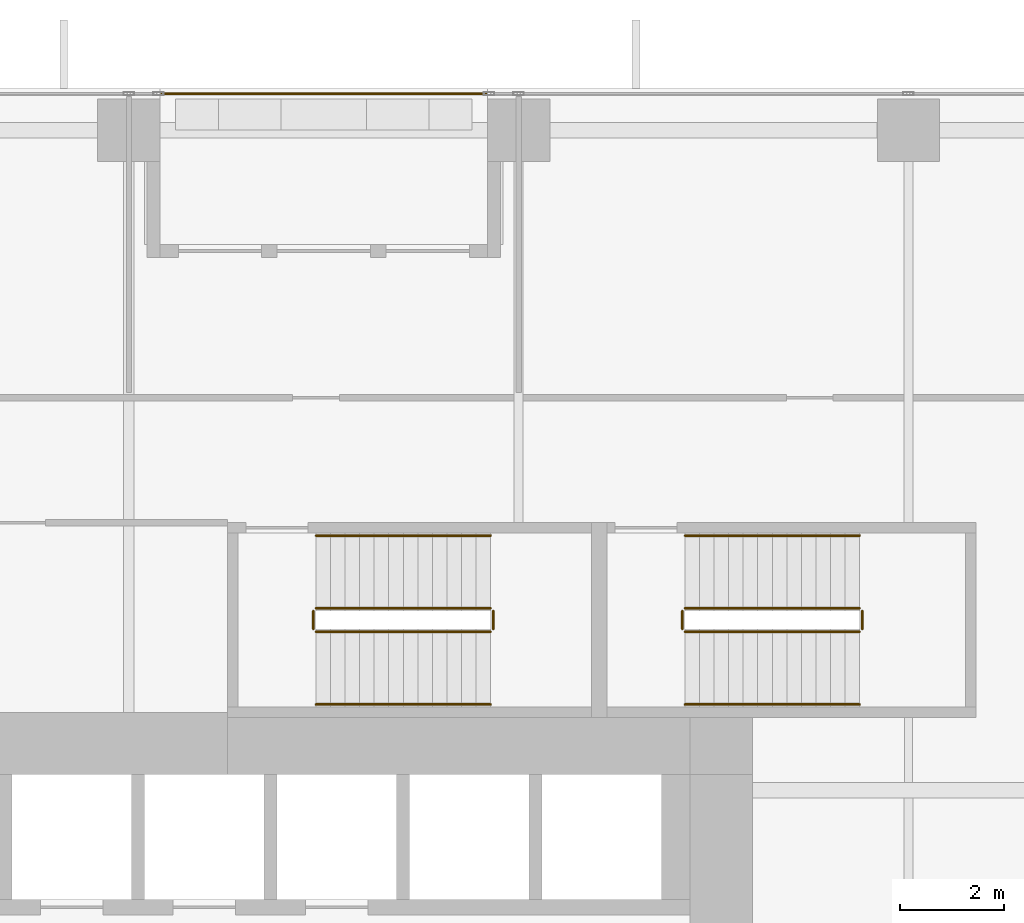
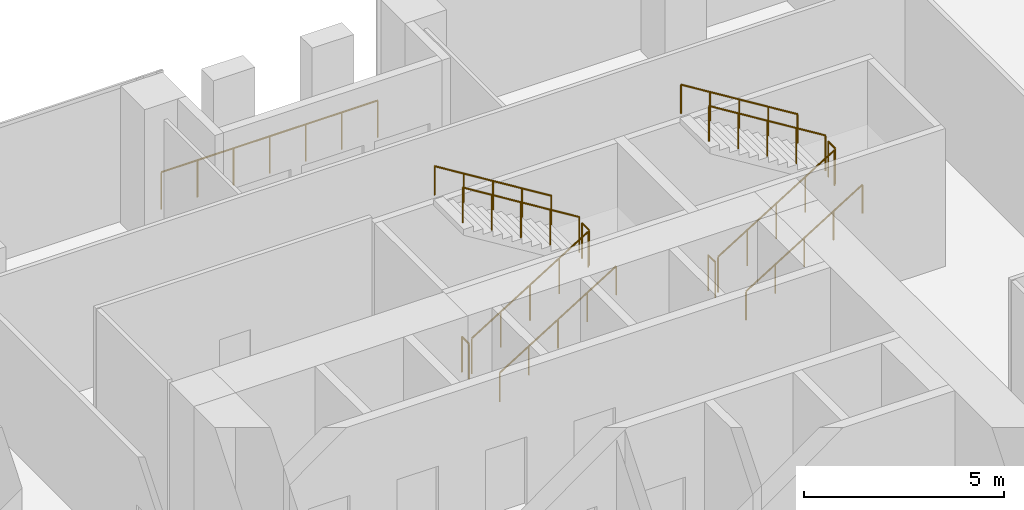
# One storey, part 31 of 32: 13 railings.
"""IFC4 building model written with IfcOpenShell, lengths in metres."""

from ifc_helpers import new_model, si_unit, direction, frame, origin, origin_2d, place, context, subcontext, project, spatial, circle, extrude, source, transform, mapped, material, type_object, element, save


model = new_model("IFC4")

# Units and contexts
model_context = context("Model", 3, precision=1e-05, world=origin(), true_north=direction((0.0, 1.0)))
body_context = subcontext(model_context, "Body", "Model", "MODEL_VIEW")
ifc_project = project(units=[si_unit("LENGTHUNIT", "METRE"), si_unit("AREAUNIT", "SQUARE_METRE"), si_unit("VOLUMEUNIT", "CUBIC_METRE"), si_unit("PLANEANGLEUNIT", "RADIAN"), si_unit("MASSUNIT", "GRAM", prefix="KILO")], contexts=[model_context])

# Site, building, storey
site_placement = place(None, origin())
site = spatial("IfcSite", under=ifc_project, at=site_placement, CompositionType="ELEMENT")
building_placement = place(site_placement, origin())
building = spatial("IfcBuilding", under=site, at=building_placement, Name="Khomas Fold Tower", CompositionType="ELEMENT")
storey_placement = place(building_placement, frame((0.0, 0.0, 42.0)))
storey = spatial("IfcBuildingStorey", under=building, at=storey_placement, Name="L08", CompositionType="ELEMENT", Elevation=42.0)

# Railings
ifc_material_1 = material(Name="Powder-coated steel", Category="steel")
railing_type_1 = type_object("IfcRailingType", Name="Balcony guard", PredefinedType="GUARDRAIL", material=ifc_material_1)
shared_shape_1 = source(origin(), body_context, "Body", "SweptSolid", [
    extrude(circle(Radius=0.02490234375, at=origin_2d()), frame((0.0, 0.0, 1.125), z_axis=(1.0, 0.0, 0.0), x_axis=(0.0, 1.0, 0.0)), (0.0, 0.0, 1.0), 6.240234375),
    extrude(circle(Radius=0.02001953125, at=origin_2d()), origin(), (0.0, 0.0, 1.0), 1.099853515625),
    extrude(circle(Radius=0.02001953125, at=origin_2d()), frame((1.0400390625, 0.0, 0.0)), (0.0, 0.0, 1.0), 1.099853515625),
    extrude(circle(Radius=0.02001953125, at=origin_2d()), frame((2.080078125, 0.0, 0.0)), (0.0, 0.0, 1.0), 1.099853515625),
    extrude(circle(Radius=0.02001953125, at=origin_2d()), frame((3.1201171875, 0.0, 0.0)), (0.0, 0.0, 1.0), 1.099853515625),
    extrude(circle(Radius=0.02001953125, at=origin_2d()), frame((4.16015625, 0.0, 0.0)), (0.0, 0.0, 1.0), 1.099853515625),
    extrude(circle(Radius=0.02001953125, at=origin_2d()), frame((5.2001953125, 0.0, 0.0)), (0.0, 0.0, 1.0), 1.099853515625),
    extrude(circle(Radius=0.02001953125, at=origin_2d()), frame((6.240234375, 0.0, 0.0)), (0.0, 0.0, 1.0), 1.099853515625),
])
railing_1_placement = place(storey_placement, frame((12.6298828125, 53.89990234375, -0.044921875)))
element("IfcRailing", 1, at=railing_1_placement, inside=storey, type_object=railing_type_1, Name="Balcony guard BAL-L08-N1", PredefinedType="GUARDRAIL", context=body_context, shape_type="MappedRepresentation", body=[
    mapped(shared_shape_1, transform((0.0, 0.0, 0.0))),
])
ifc_material_2 = material(Name="Steel balustrade", Category="steel")
railing_type_2 = type_object("IfcRailingType", Name="Stair guard", PredefinedType="GUARDRAIL", material=ifc_material_2)
shared_shape_2 = source(origin(), body_context, "Body", "SweptSolid", [
    extrude(circle(Radius=0.02392578125, at=origin_2d()), frame((0.0, 0.0, 1.076171875), z_axis=(0.850606129759, 0.0, 0.525803396734), x_axis=(0.0, 1.0, 0.0)), (0.0, 0.0, 1.0), 3.949951171875),
    extrude(circle(Radius=0.02099609375, at=origin_2d()), origin(), (0.0, 0.0, 1.0), 1.052001953125),
    extrude(circle(Radius=0.02099609375, at=origin_2d()), frame((0.83984375, 0.0, 0.519287109375)), (0.0, 0.0, 1.0), 1.052001953125),
    extrude(circle(Radius=0.02099609375, at=origin_2d()), frame((1.679931640625, 0.0, 1.03857421875)), (0.0, 0.0, 1.0), 1.052001953125),
    extrude(circle(Radius=0.02099609375, at=origin_2d()), frame((2.52001953125, 0.0, 1.5576171875)), (0.0, 0.0, 1.0), 1.052001953125),
    extrude(circle(Radius=0.02099609375, at=origin_2d()), frame((3.35986328125, 0.0, 2.076904296875)), (0.0, 0.0, 1.0), 1.052001953125),
])
railing_2_placement = place(storey_placement, frame((15.60009765625, 43.550048828125, 0.173095703125)))
element("IfcRailing", 2, at=railing_2_placement, inside=storey, type_object=railing_type_2, Name="L08 ST1 stair guard 1", PredefinedType="GUARDRAIL", context=body_context, shape_type="MappedRepresentation", body=[
    mapped(shared_shape_2, transform((0.0, 0.0, 0.0))),
])
shared_shape_3 = source(origin(), body_context, "Body", "SweptSolid", [
    extrude(circle(Radius=0.02392578125, at=origin_2d()), frame((0.0, 0.0, 1.076171875), z_axis=(0.0, 1.0, 0.0), x_axis=(-1.0, 0.0, 0.0)), (0.0, 0.0, 1.0), 0.349853515625),
    extrude(circle(Radius=0.02099609375, at=origin_2d()), origin(), (0.0, 0.0, 1.0), 1.052001953125),
    extrude(circle(Radius=0.02099609375, at=origin_2d()), frame((0.0, 0.349853515625, 0.0)), (0.0, 0.0, 1.0), 1.052001953125),
])
for number, where, name in (
    (3, (19.010009765625, 43.60009765625, 2.25), "L08 ST1 stair guard 2"),
    (4, (15.550048828125, 43.60009765625, 0.0), "L08 ST1 stair guard 4"),
    (5, (26.110107421875, 43.60009765625, 2.25), "L08 ST3 stair guard 2"),
    (6, (22.64990234375, 43.60009765625, 0.0), "L08 ST3 stair guard 4"),
):
    element("IfcRailing", number, at=place(storey_placement, frame(where)), inside=storey, type_object=railing_type_2, Name=name, PredefinedType="GUARDRAIL", context=body_context, shape_type="MappedRepresentation", body=[
        mapped(shared_shape_3, transform((0.0, 0.0, 0.0))),
    ])
shared_shape_4 = source(origin(), body_context, "Body", "SweptSolid", [
    extrude(circle(Radius=0.02392578125, at=origin_2d()), frame((0.0, 0.0, 1.076171875), z_axis=(-0.850606129759, 0.0, 0.525803396734), x_axis=(0.0, -1.0, 0.0)), (0.0, 0.0, 1.0), 3.949951171875),
    extrude(circle(Radius=0.02099609375, at=origin_2d()), origin(), (0.0, 0.0, 1.0), 1.052001953125),
    extrude(circle(Radius=0.02099609375, at=origin_2d()), frame((-0.83984375, 0.0, 0.519287109375)), (0.0, 0.0, 1.0), 1.052001953125),
    extrude(circle(Radius=0.02099609375, at=origin_2d()), frame((-1.679931640625, 0.0, 1.03857421875)), (0.0, 0.0, 1.0), 1.052001953125),
    extrude(circle(Radius=0.02099609375, at=origin_2d()), frame((-2.52001953125, 0.0, 1.5576171875)), (0.0, 0.0, 1.0), 1.052001953125),
    extrude(circle(Radius=0.02099609375, at=origin_2d()), frame((-3.35986328125, 0.0, 2.076904296875)), (0.0, 0.0, 1.0), 1.052001953125),
])
railing_3_placement = place(storey_placement, frame((18.9599609375, 44.0, 2.423095703125)))
element("IfcRailing", 7, at=railing_3_placement, inside=storey, type_object=railing_type_2, Name="L08 ST1 stair guard 3", PredefinedType="GUARDRAIL", context=body_context, shape_type="MappedRepresentation", body=[
    mapped(shared_shape_4, transform((0.0, 0.0, 0.0))),
])
ifc_material_3 = material(Name="Steel handrail", Category="steel")
railing_type_3 = type_object("IfcRailingType", Name="Stair handrail", PredefinedType="HANDRAIL", material=ifc_material_3)
shared_shape_5 = source(origin(), body_context, "Body", "SweptSolid", [
    extrude(circle(Radius=0.02392578125, at=origin_2d()), frame((0.0, 0.0, 0.8759765625), z_axis=(0.850606129759, 0.0, 0.525803396734), x_axis=(0.0, 1.0, 0.0)), (0.0, 0.0, 1.0), 3.949951171875),
    extrude(circle(Radius=0.02099609375, at=origin_2d()), origin(), (0.0, 0.0, 1.0), 0.851806640625),
    extrude(circle(Radius=0.02099609375, at=origin_2d()), frame((0.83984375, 0.0, 0.519287109375)), (0.0, 0.0, 1.0), 0.851806640625),
    extrude(circle(Radius=0.02099609375, at=origin_2d()), frame((1.679931640625, 0.0, 1.03857421875)), (0.0, 0.0, 1.0), 0.851806640625),
    extrude(circle(Radius=0.02099609375, at=origin_2d()), frame((2.52001953125, 0.0, 1.5576171875)), (0.0, 0.0, 1.0), 0.851806640625),
    extrude(circle(Radius=0.02099609375, at=origin_2d()), frame((3.35986328125, 0.0, 2.076904296875)), (0.0, 0.0, 1.0), 0.851806640625),
])
railing_4_placement = place(storey_placement, frame((15.60009765625, 42.14990234375, 0.173095703125)))
element("IfcRailing", 8, at=railing_4_placement, inside=storey, type_object=railing_type_3, Name="L08 ST1 stair handrail 1", PredefinedType="HANDRAIL", context=body_context, shape_type="MappedRepresentation", body=[
    mapped(shared_shape_5, transform((0.0, 0.0, 0.0))),
])
shared_shape_6 = source(origin(), body_context, "Body", "SweptSolid", [
    extrude(circle(Radius=0.02392578125, at=origin_2d()), frame((0.0, 0.0, 0.8759765625), z_axis=(-0.850606129759, 0.0, 0.525803396734), x_axis=(0.0, -1.0, 0.0)), (0.0, 0.0, 1.0), 3.949951171875),
    extrude(circle(Radius=0.02099609375, at=origin_2d()), origin(), (0.0, 0.0, 1.0), 0.851806640625),
    extrude(circle(Radius=0.02099609375, at=origin_2d()), frame((-0.83984375, 0.0, 0.519287109375)), (0.0, 0.0, 1.0), 0.851806640625),
    extrude(circle(Radius=0.02099609375, at=origin_2d()), frame((-1.679931640625, 0.0, 1.03857421875)), (0.0, 0.0, 1.0), 0.851806640625),
    extrude(circle(Radius=0.02099609375, at=origin_2d()), frame((-2.52001953125, 0.0, 1.5576171875)), (0.0, 0.0, 1.0), 0.851806640625),
    extrude(circle(Radius=0.02099609375, at=origin_2d()), frame((-3.35986328125, 0.0, 2.076904296875)), (0.0, 0.0, 1.0), 0.851806640625),
])
railing_5_placement = place(storey_placement, frame((18.9599609375, 45.39990234375, 2.423095703125)))
element("IfcRailing", 9, at=railing_5_placement, inside=storey, type_object=railing_type_3, Name="L08 ST1 stair handrail 2", PredefinedType="HANDRAIL", context=body_context, shape_type="MappedRepresentation", body=[
    mapped(shared_shape_6, transform((0.0, 0.0, 0.0))),
])
shared_shape_7 = source(origin(), body_context, "Body", "SweptSolid", [
    extrude(circle(Radius=0.02392578125, at=origin_2d()), frame((0.0, 0.0, 1.076171875), z_axis=(0.850623216509, 0.0, 0.525775754039), x_axis=(0.0, 1.0, 0.0)), (0.0, 0.0, 1.0), 3.9501953125),
    extrude(circle(Radius=0.02099609375, at=origin_2d()), origin(), (0.0, 0.0, 1.0), 1.052001953125),
    extrude(circle(Radius=0.02099609375, at=origin_2d()), frame((0.840087890625, 0.0, 0.519287109375)), (0.0, 0.0, 1.0), 1.052001953125),
    extrude(circle(Radius=0.02099609375, at=origin_2d()), frame((1.68017578125, 0.0, 1.03857421875)), (0.0, 0.0, 1.0), 1.052001953125),
    extrude(circle(Radius=0.02099609375, at=origin_2d()), frame((2.52001953125, 0.0, 1.5576171875)), (0.0, 0.0, 1.0), 1.052001953125),
    extrude(circle(Radius=0.02099609375, at=origin_2d()), frame((3.360107421875, 0.0, 2.076904296875)), (0.0, 0.0, 1.0), 1.052001953125),
])
railing_6_placement = place(storey_placement, frame((22.699951171875, 43.550048828125, 0.173095703125)))
element("IfcRailing", 10, at=railing_6_placement, inside=storey, type_object=railing_type_2, Name="L08 ST3 stair guard 1", PredefinedType="GUARDRAIL", context=body_context, shape_type="MappedRepresentation", body=[
    mapped(shared_shape_7, transform((0.0, 0.0, 0.0))),
])
shared_shape_8 = source(origin(), body_context, "Body", "SweptSolid", [
    extrude(circle(Radius=0.02392578125, at=origin_2d()), frame((0.0, 0.0, 1.076171875), z_axis=(-0.850623216509, 0.0, 0.525775754039), x_axis=(0.0, -1.0, 0.0)), (0.0, 0.0, 1.0), 3.9501953125),
    extrude(circle(Radius=0.02099609375, at=origin_2d()), origin(), (0.0, 0.0, 1.0), 1.052001953125),
    extrude(circle(Radius=0.02099609375, at=origin_2d()), frame((-0.840087890625, 0.0, 0.519287109375)), (0.0, 0.0, 1.0), 1.052001953125),
    extrude(circle(Radius=0.02099609375, at=origin_2d()), frame((-1.68017578125, 0.0, 1.03857421875)), (0.0, 0.0, 1.0), 1.052001953125),
    extrude(circle(Radius=0.02099609375, at=origin_2d()), frame((-2.52001953125, 0.0, 1.5576171875)), (0.0, 0.0, 1.0), 1.052001953125),
    extrude(circle(Radius=0.02099609375, at=origin_2d()), frame((-3.360107421875, 0.0, 2.076904296875)), (0.0, 0.0, 1.0), 1.052001953125),
])
railing_7_placement = place(storey_placement, frame((26.06005859375, 44.0, 2.423095703125)))
element("IfcRailing", 11, at=railing_7_placement, inside=storey, type_object=railing_type_2, Name="L08 ST3 stair guard 3", PredefinedType="GUARDRAIL", context=body_context, shape_type="MappedRepresentation", body=[
    mapped(shared_shape_8, transform((0.0, 0.0, 0.0))),
])
shared_shape_9 = source(origin(), body_context, "Body", "SweptSolid", [
    extrude(circle(Radius=0.02392578125, at=origin_2d()), frame((0.0, 0.0, 0.8759765625), z_axis=(0.850623216509, 0.0, 0.525775754039), x_axis=(0.0, 1.0, 0.0)), (0.0, 0.0, 1.0), 3.9501953125),
    extrude(circle(Radius=0.02099609375, at=origin_2d()), origin(), (0.0, 0.0, 1.0), 0.851806640625),
    extrude(circle(Radius=0.02099609375, at=origin_2d()), frame((0.840087890625, 0.0, 0.519287109375)), (0.0, 0.0, 1.0), 0.851806640625),
    extrude(circle(Radius=0.02099609375, at=origin_2d()), frame((1.68017578125, 0.0, 1.03857421875)), (0.0, 0.0, 1.0), 0.851806640625),
    extrude(circle(Radius=0.02099609375, at=origin_2d()), frame((2.52001953125, 0.0, 1.5576171875)), (0.0, 0.0, 1.0), 0.851806640625),
    extrude(circle(Radius=0.02099609375, at=origin_2d()), frame((3.360107421875, 0.0, 2.076904296875)), (0.0, 0.0, 1.0), 0.851806640625),
])
railing_8_placement = place(storey_placement, frame((22.699951171875, 42.14990234375, 0.173095703125)))
element("IfcRailing", 12, at=railing_8_placement, inside=storey, type_object=railing_type_3, Name="L08 ST3 stair handrail 1", PredefinedType="HANDRAIL", context=body_context, shape_type="MappedRepresentation", body=[
    mapped(shared_shape_9, transform((0.0, 0.0, 0.0))),
])
shared_shape_10 = source(origin(), body_context, "Body", "SweptSolid", [
    extrude(circle(Radius=0.02392578125, at=origin_2d()), frame((0.0, 0.0, 0.8759765625), z_axis=(-0.850623216509, 0.0, 0.525775754039), x_axis=(0.0, -1.0, 0.0)), (0.0, 0.0, 1.0), 3.9501953125),
    extrude(circle(Radius=0.02099609375, at=origin_2d()), origin(), (0.0, 0.0, 1.0), 0.851806640625),
    extrude(circle(Radius=0.02099609375, at=origin_2d()), frame((-0.840087890625, 0.0, 0.519287109375)), (0.0, 0.0, 1.0), 0.851806640625),
    extrude(circle(Radius=0.02099609375, at=origin_2d()), frame((-1.68017578125, 0.0, 1.03857421875)), (0.0, 0.0, 1.0), 0.851806640625),
    extrude(circle(Radius=0.02099609375, at=origin_2d()), frame((-2.52001953125, 0.0, 1.5576171875)), (0.0, 0.0, 1.0), 0.851806640625),
    extrude(circle(Radius=0.02099609375, at=origin_2d()), frame((-3.360107421875, 0.0, 2.076904296875)), (0.0, 0.0, 1.0), 0.851806640625),
])
railing_9_placement = place(storey_placement, frame((26.06005859375, 45.39990234375, 2.423095703125)))
element("IfcRailing", 13, at=railing_9_placement, inside=storey, type_object=railing_type_3, Name="L08 ST3 stair handrail 2", PredefinedType="HANDRAIL", context=body_context, shape_type="MappedRepresentation", body=[
    mapped(shared_shape_10, transform((0.0, 0.0, 0.0))),
])

save(model, "model.ifc")
